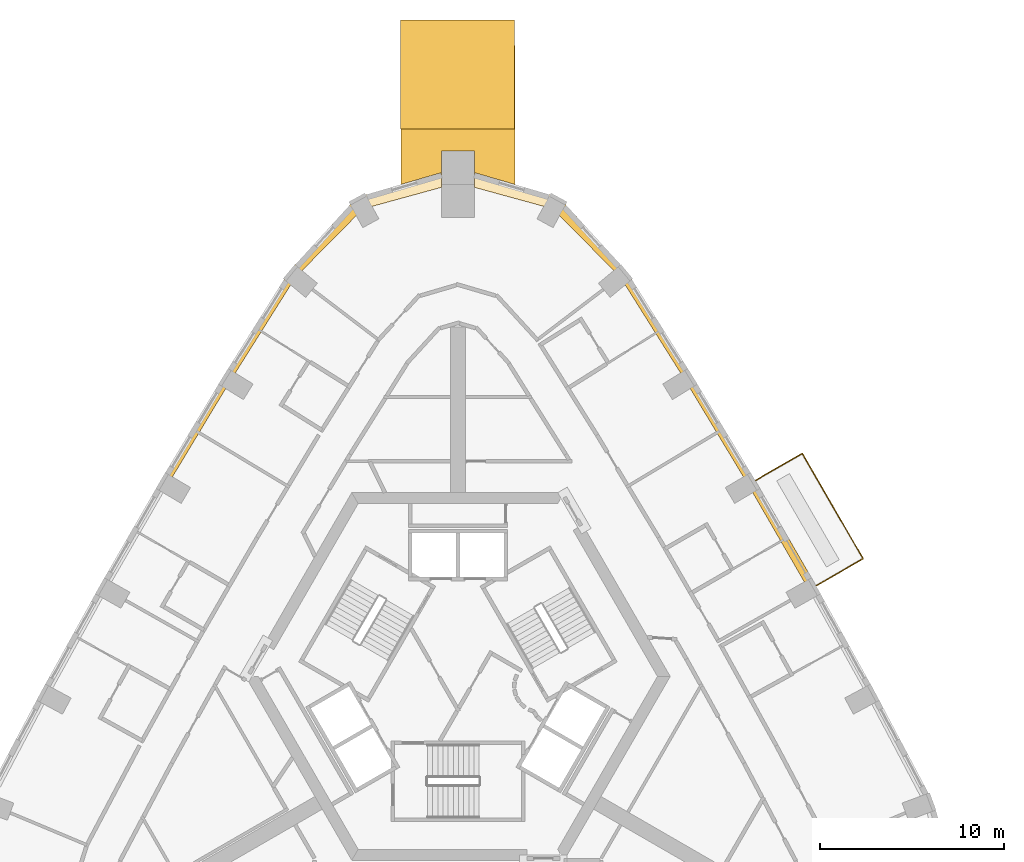
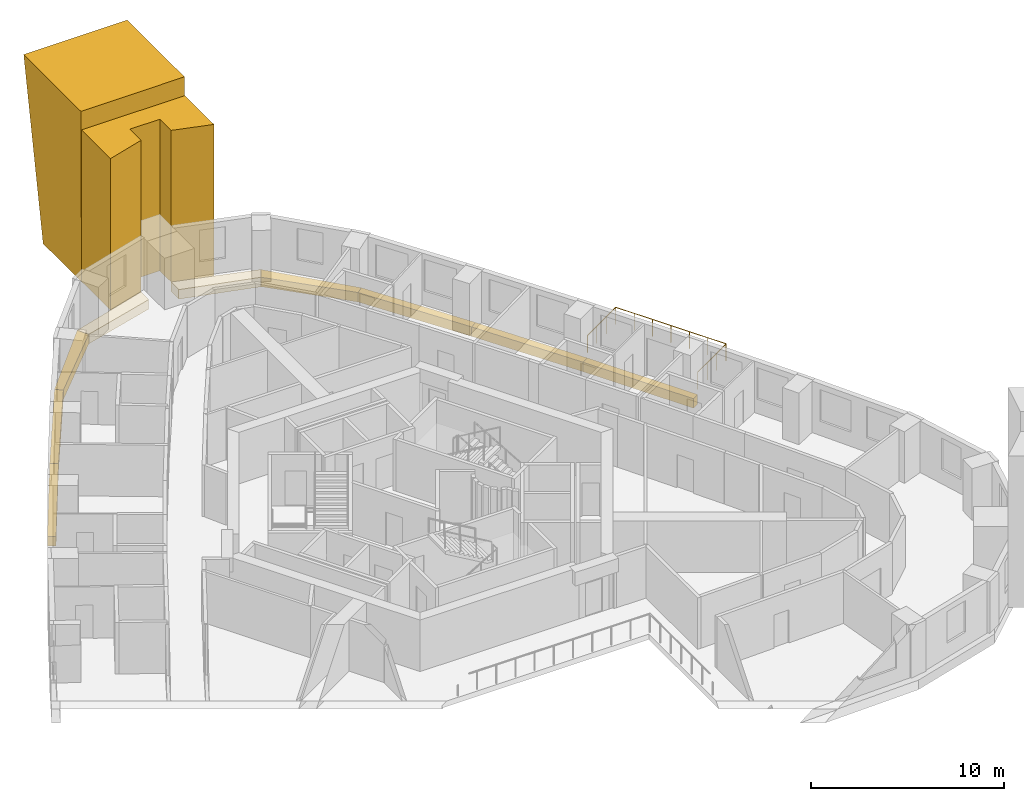
# One storey, part 13 of 13: 11 coverings, 1 railing.
"""IFC4 building model written with IfcOpenShell, lengths in metres."""

import ifcopenshell
import ifcopenshell.guid

model = None  # the IFC model being written
_history = None  # IfcOwnerHistory: only IFC2X3 demands one
_inside = {}  # id of a spatial element -> (the spatial element, [elements in it])
_under = {}  # id of a project, library or spatial element -> (it, [spatial elements below it])
_declared = {}  # id of a project -> (the project, [libraries it declares])
_typed = {}  # id of a type object -> (the type object, [elements of that type])
_made_of = {}  # id of a material, layer set ... -> (it, [elements and type objects made of it])


def new_model(schema):
    """Start an empty IFC model of exactly this schema.

    Asked for "IFC4X3", IfcOpenShell would pick the latest addendum, in which some entities
    have other attributes; the version numbers below select the first issue.
    IFC2X3 requires an IfcOwnerHistory on every rooted entity: one is made here for all.
    """
    global model, _history
    if schema == "IFC4X3":
        model = ifcopenshell.file(schema_version=(4, 3, 0, 0))
    else:
        model = ifcopenshell.file(schema=schema)
    _inside.clear()
    _under.clear()
    _declared.clear()
    _typed.clear()
    _made_of.clear()
    _history = None
    if model.schema == "IFC2X3":
        org = make("IfcOrganization", Name="unknown")
        user = make(
            "IfcPersonAndOrganization",
            ThePerson=make("IfcPerson", FamilyName="unknown"),
            TheOrganization=org,
        )
        app = make(
            "IfcApplication",
            ApplicationDeveloper=org,
            Version="unknown",
            ApplicationFullName="unknown",
            ApplicationIdentifier="unknown",
        )
        _history = make(
            "IfcOwnerHistory",
            OwningUser=user,
            OwningApplication=app,
            ChangeAction="ADDED",
            CreationDate=0,
        )
    return model


def make(cls, **values):
    """One entity of the class cls with the attributes given. An attribute that is None is left unset."""
    return model.create_entity(
        cls, **{name: value for name, value in values.items() if value is not None}
    )


def rooted(cls, **values):
    """An entity with a GlobalId (a new one), such as an element, a storey or a relation."""
    return make(cls, GlobalId=ifcopenshell.guid.new(), OwnerHistory=_history, **values)


def si_unit(unit_type, name, prefix=None):
    """IfcSIUnit, for example si_unit("LENGTHUNIT", "METRE", prefix="MILLI")."""
    return make("IfcSIUnit", UnitType=unit_type, Prefix=prefix, Name=name)


def assignment(units):
    """IfcUnitAssignment: the units of a project."""
    return None if units is None else make("IfcUnitAssignment", Units=units)


def point(xyz):
    """IfcCartesianPoint."""
    return None if xyz is None else make("IfcCartesianPoint", Coordinates=xyz)


def direction(xyz):
    """IfcDirection."""
    return None if xyz is None else make("IfcDirection", DirectionRatios=xyz)


def frame(location, z_axis=None, x_axis=None):
    """IfcAxis2Placement3D, a coordinate frame: its origin and axes. An axis left out is left unset."""
    return make(
        "IfcAxis2Placement3D",
        Location=point(location),
        Axis=direction(z_axis),
        RefDirection=direction(x_axis),
    )


def frame_2d(location, x_axis=None):
    """IfcAxis2Placement2D, a coordinate frame in the plane: its origin and x axis."""
    return make(
        "IfcAxis2Placement2D", Location=point(location), RefDirection=direction(x_axis)
    )


def origin():
    """The frame at (0, 0, 0) with its axes left unset."""
    return frame((0.0, 0.0, 0.0))


def origin_2d():
    """The frame at (0, 0) in the plane with its x axis left unset."""
    return frame_2d((0.0, 0.0))


def place(relative_to, where):
    """IfcLocalPlacement: puts the frame where relative to a parent placement (None: the world)."""
    return make(
        "IfcLocalPlacement", PlacementRelTo=relative_to, RelativePlacement=where
    )


def context(
    kind, dimensions, precision=None, world=None, true_north=None, identifier=None
):
    """IfcGeometricRepresentationContext, for example the 3D "Model" context."""
    return make(
        "IfcGeometricRepresentationContext",
        ContextIdentifier=identifier,
        ContextType=kind,
        CoordinateSpaceDimension=dimensions,
        Precision=precision,
        WorldCoordinateSystem=world,
        TrueNorth=true_north,
    )


def subcontext(parent, identifier, kind, view, scale=None):
    """IfcGeometricRepresentationSubContext, for example "Body" below "Model"."""
    return make(
        "IfcGeometricRepresentationSubContext",
        ContextIdentifier=identifier,
        ContextType=kind,
        ParentContext=parent,
        TargetScale=scale,
        TargetView=view,
    )


def project(units=None, contexts=None):
    """IfcProject with its units and contexts."""
    return rooted(
        "IfcProject",
        Name="project",
        RepresentationContexts=contexts,
        UnitsInContext=assignment(units),
    )


def spatial(cls, under=None, at=None, **own):
    """A site, building, storey or space (cls), placed at a placement, below another one or the project."""
    s = rooted(cls, ObjectPlacement=at, **own)
    if under is not None:
        _under.setdefault(under.id(), (under, []))[1].append(s)
    return s


def polyline(points):
    """IfcPolyline through the points."""
    return make("IfcPolyline", Points=[point(p) for p in points])


def profile(cls, at=None, kind="AREA", **sizes):
    """A parametric profile (cls). Its sizes go by their IFC names, for example OverallWidth=200.0."""
    return make(cls, ProfileType=kind, Position=at, **sizes)


def circle(**sizes):
    """IfcCircleProfileDef."""
    return profile("IfcCircleProfileDef", **sizes)


def outline(outer, holes=None, kind="AREA"):
    """IfcArbitraryClosedProfileDef: a profile drawn as a closed curve; with holes, ...WithVoids."""
    if holes is None:
        return make("IfcArbitraryClosedProfileDef", ProfileType=kind, OuterCurve=outer)
    return make(
        "IfcArbitraryProfileDefWithVoids",
        ProfileType=kind,
        OuterCurve=outer,
        InnerCurves=holes,
    )


def extrude(swept, where, along, depth):
    """IfcExtrudedAreaSolid: the profile swept, set in the frame where, extruded along a direction by depth."""
    return make(
        "IfcExtrudedAreaSolid",
        SweptArea=swept,
        Position=where,
        ExtrudedDirection=direction(along),
        Depth=depth,
    )


def shape(context_of_items, identifier, shape_type, items):
    """IfcShapeRepresentation: the items that make up one representation, for example the "Body"."""
    return make(
        "IfcShapeRepresentation",
        ContextOfItems=context_of_items,
        RepresentationIdentifier=identifier,
        RepresentationType=shape_type,
        Items=items,
    )


def material(Name=None, Category=None):
    """IfcMaterial."""
    return make("IfcMaterial", Name=Name, Category=Category)


def made_of(thing, what):
    """Note that an element or type object is made of a material, layer set ...; save() writes the relation."""
    if what is not None:
        _made_of.setdefault(what.id(), (what, []))[1].append(thing)
    return thing


def type_object(cls, material=None, **own):
    """A type object (cls), such as IfcWallType, which elements share."""
    return made_of(rooted(cls, **own), material)


def element(
    cls,
    number,
    at=None,
    inside=None,
    cuts=None,
    type_object=None,
    material=None,
    context=None,
    identifier="Body",
    shape_type=None,
    held_by="IfcProductDefinitionShape",
    body=None,
    shapes=None,
    **own,
):
    """One element of the class cls, such as IfcWall. Its Tag is "e" and its number.

    at: its placement. inside: the storey or other place that contains it. cuts: it is an
    opening in that element (IfcRelVoidsElement). A single representation is given by context,
    identifier, shape_type and body (its items); several are given by shapes. held_by: the class
    of the entity that holds the representations. save() writes the other relations.
    """
    e = rooted(cls, Tag="e%d" % number, ObjectPlacement=at, **own)
    if body is not None:
        shapes = [shape(context, identifier, shape_type, body)]
    if shapes is not None:
        e.Representation = make(held_by, Representations=shapes)
    if inside is not None:
        _inside.setdefault(inside.id(), (inside, []))[1].append(e)
    if cuts is not None:
        rooted(
            "IfcRelVoidsElement", RelatingBuildingElement=cuts, RelatedOpeningElement=e
        )
    if type_object is not None:
        _typed.setdefault(type_object.id(), (type_object, []))[1].append(e)
    return made_of(e, material)


def aggregate(whole, parts):
    """IfcRelAggregates: a whole, such as a stair, and the parts it consists of."""
    return rooted("IfcRelAggregates", RelatingObject=whole, RelatedObjects=parts)


def save(model, path):
    """Write the relations noted so far, then the file.

    IfcRelAggregates (storeys below a building ...), IfcRelContainedInSpatialStructure (elements
    in a storey), IfcRelDefinesByType, IfcRelAssociatesMaterial and IfcRelDeclares: one each for
    every whole, place, type object, material and project.
    """
    for whole, parts in _under.values():
        aggregate(whole, parts)
    for where, things in _inside.values():
        rooted(
            "IfcRelContainedInSpatialStructure",
            RelatedElements=things,
            RelatingStructure=where,
        )
    for kind, things in _typed.values():
        rooted("IfcRelDefinesByType", RelatedObjects=things, RelatingType=kind)
    for what, things in _made_of.values():
        rooted("IfcRelAssociatesMaterial", RelatedObjects=things, RelatingMaterial=what)
    for by, libraries in _declared.values():
        rooted("IfcRelDeclares", RelatingContext=by, RelatedDefinitions=libraries)
    model.write(path)


model = new_model("IFC4")

# Units and contexts
model_context = context("Model", 3, precision=1e-05, world=origin(), true_north=direction((0.0, 1.0)))
body_context = subcontext(model_context, "Body", "Model", "MODEL_VIEW")
ifc_project = project(units=[si_unit("LENGTHUNIT", "METRE"), si_unit("AREAUNIT", "SQUARE_METRE"), si_unit("VOLUMEUNIT", "CUBIC_METRE"), si_unit("PLANEANGLEUNIT", "RADIAN"), si_unit("MASSUNIT", "GRAM", prefix="KILO")], contexts=[model_context])

# Site, building, storey
site_placement = place(None, origin())
site = spatial("IfcSite", under=ifc_project, at=site_placement, CompositionType="ELEMENT")
building_placement = place(site_placement, origin())
building = spatial("IfcBuilding", under=site, at=building_placement, Name="Entoto Arch Interchange Tower", CompositionType="ELEMENT")
storey_placement = place(building_placement, frame((0.0, 0.0, 263.0)))
storey = spatial("IfcBuildingStorey", under=building, at=storey_placement, Name="L60", CompositionType="ELEMENT", Elevation=263.0)

# Railing
ifc_material_1 = material(Name="Stainless steel 1.4301", Category="steel")
railing_type = type_object("IfcRailingType", Name="GUARD 1100 STEEL AND GLASS", PredefinedType="GUARDRAIL", material=ifc_material_1)
railing_placement = place(storey_placement, frame((19.47998046875, 7.428955078125, 0.0)))
element("IfcRailing", 1, at=railing_placement, inside=storey, type_object=railing_type, Name="Balcony guard NE-03 L60", PredefinedType="GUARDRAIL", context=body_context, shape_type="SweptSolid", body=[
    extrude(circle(Radius=0.02392578125, at=origin_2d()), frame((0.0, 0.0, 1.076171875), z_axis=(0.866024349092, 0.500001826776, 0.0), x_axis=(-0.500001826776, 0.866024349092, 0.0)), (0.0, 0.0, 1.0), 2.9501953125),
    extrude(circle(Radius=0.02392578125, at=origin_2d()), frame((2.554931640625, 1.47509765625, 1.076171875), z_axis=(-0.500011192237, 0.866018941847, 0.0), x_axis=(-0.866018941847, -0.500011192237, 0.0)), (0.0, 0.0, 1.0), 6.611572265625),
    extrude(circle(Radius=0.02392578125, at=origin_2d()), frame((-0.7509765625, 7.200927734375, 1.076171875), z_axis=(-0.866060182126, -0.499939757307, 0.0), x_axis=(0.499939757307, -0.866060182126, 0.0)), (0.0, 0.0, 1.0), 2.949951171875),
    extrude(circle(Radius=0.02099609375, at=origin_2d()), origin(), (0.0, 0.0, 1.0), 1.052001953125),
    extrude(circle(Radius=0.02099609375, at=origin_2d()), frame((0.8515625, 0.49169921875, 0.0)), (0.0, 0.0, 1.0), 1.052001953125),
    extrude(circle(Radius=0.02099609375, at=origin_2d()), frame((1.703369140625, 0.9833984375, 0.0)), (0.0, 0.0, 1.0), 1.052001953125),
    extrude(circle(Radius=0.02099609375, at=origin_2d()), frame((2.554931640625, 1.47509765625, 0.0)), (0.0, 0.0, 1.0), 1.052001953125),
    extrude(circle(Radius=0.02099609375, at=origin_2d()), frame((2.00390625, 2.429443359375, 0.0)), (0.0, 0.0, 1.0), 1.052001953125),
    extrude(circle(Radius=0.02099609375, at=origin_2d()), frame((1.452880859375, 3.3837890625, 0.0)), (0.0, 0.0, 1.0), 1.052001953125),
    extrude(circle(Radius=0.02099609375, at=origin_2d()), frame((0.90185546875, 4.337890625, 0.0)), (0.0, 0.0, 1.0), 1.052001953125),
    extrude(circle(Radius=0.02099609375, at=origin_2d()), frame((0.35107421875, 5.292236328125, 0.0)), (0.0, 0.0, 1.0), 1.052001953125),
    extrude(circle(Radius=0.02099609375, at=origin_2d()), frame((-0.199951171875, 6.24658203125, 0.0)), (0.0, 0.0, 1.0), 1.052001953125),
    extrude(circle(Radius=0.02099609375, at=origin_2d()), frame((-0.7509765625, 7.200927734375, 0.0)), (0.0, 0.0, 1.0), 1.052001953125),
    extrude(circle(Radius=0.02099609375, at=origin_2d()), frame((-1.6025390625, 6.709228515625, 0.0)), (0.0, 0.0, 1.0), 1.052001953125),
    extrude(circle(Radius=0.02099609375, at=origin_2d()), frame((-2.454345703125, 6.2177734375, 0.0)), (0.0, 0.0, 1.0), 1.052001953125),
    extrude(circle(Radius=0.02099609375, at=origin_2d()), frame((-3.305908203125, 5.72607421875, 0.0)), (0.0, 0.0, 1.0), 1.052001953125),
])

# Coverings
ifc_material_2 = material(Name="Board-marked precast concrete C50/60", Category="concrete")
covering_type_1 = type_object("IfcCoveringType", Name="PRECAST FRAME COURSE", PredefinedType="CLADDING", material=ifc_material_2)
covering_1_placement = place(storey_placement, frame((0.0, 0.0, -0.340087890625)))
element("IfcCovering", 2, at=covering_1_placement, inside=storey, type_object=covering_type_1, Name="Corner pilaster N L60-L62", PredefinedType="CLADDING", context=body_context, shape_type="SweptSolid", body=[
    extrude(outline(polyline([(-3.10009765625, 32.26708984375), (3.10009765625, 32.26708984375), (3.10009765625, 29.258056640625), (0.89990234375, 29.903076171875), (0.89990234375, 31.06689453125), (-0.89990234375, 31.06689453125), (-0.89990234375, 29.903076171875), (-3.10009765625, 29.258056640625), (-3.10009765625, 32.26708984375)])), origin(), (0.0, 0.0, 1.0), 9.60009765625),
])
covering_2_placement = place(storey_placement, frame((3.10009765625, 32.26708984375, -0.340087890625), z_axis=(0.999995615315, 0.0, 0.002961308986), x_axis=(0.0, 1.0, 0.0)))
element("IfcCovering", 3, at=covering_2_placement, inside=storey, type_object=covering_type_1, Name="Corner rib N L60-L62", PredefinedType="CLADDING", context=body_context, shape_type="SweptSolid", body=[
    extrude(outline(polyline([(0.0, 0.0), (3.974853515625, 0.0), (5.93798828125, 10.800096183145461), (0.0, 10.800096183145461), (0.0, 0.0)])), origin(), (0.0, 0.0, -1.0), 6.199951171875),
])
covering_type_2 = type_object("IfcCoveringType", Name="PRECAST LEDGE COURSE", PredefinedType="CLADDING", material=ifc_material_2)
covering_3_placement = place(storey_placement, frame((0.0, 0.0, -0.93994140625)))
element("IfcCovering", 4, at=covering_3_placement, inside=storey, type_object=covering_type_2, Name="Precast course NE-03 L60", PredefinedType="CLADDING", context=body_context, shape_type="SweptSolid", body=[
    extrude(outline(polyline([(15.785888671875, 12.926025390625), (16.174072265625, 13.155029296875), (19.47998046875, 7.428955078125), (19.087890625, 7.2080078125), (15.785888671875, 12.926025390625)])), origin(), (0.0, 0.0, 1.0), 0.599853515625),
])
covering_4_placement = place(storey_placement, frame((0.0, 0.0, -0.93994140625)))
element("IfcCovering", 5, at=covering_4_placement, inside=storey, type_object=covering_type_2, Name="Precast course NE-04 L60", PredefinedType="CLADDING", context=body_context, shape_type="SweptSolid", body=[
    extrude(outline(polyline([(12.3759765625, 18.58203125), (12.764892578125, 18.822021484375), (16.174072265625, 13.155029296875), (15.785888671875, 12.926025390625), (12.3759765625, 18.58203125)])), origin(), (0.0, 0.0, 1.0), 0.599853515625),
])
covering_5_placement = place(storey_placement, frame((0.0, 0.0, -0.93994140625)))
element("IfcCovering", 6, at=covering_5_placement, inside=storey, type_object=covering_type_2, Name="Precast course NE-05 L60", PredefinedType="CLADDING", context=body_context, shape_type="SweptSolid", body=[
    extrude(outline(polyline([(8.8291015625, 24.219970703125), (9.19189453125, 24.52099609375), (12.764892578125, 18.822021484375), (12.3759765625, 18.58203125), (8.8291015625, 24.219970703125)])), origin(), (0.0, 0.0, 1.0), 0.599853515625),
])
covering_6_placement = place(storey_placement, frame((0.0, 0.0, -0.93994140625)))
element("IfcCovering", 7, at=covering_6_placement, inside=storey, type_object=covering_type_2, Name="Precast course N-01 L60", PredefinedType="CLADDING", context=body_context, shape_type="SweptSolid", body=[
    extrude(outline(polyline([(5.1640625, 27.93310546875), (5.501953125, 28.553955078125), (9.19189453125, 24.52099609375), (8.8291015625, 24.219970703125), (5.1640625, 27.93310546875)])), origin(), (0.0, 0.0, 1.0), 0.599853515625),
])
covering_7_placement = place(storey_placement, frame((0.0, 0.0, -0.93994140625)))
element("IfcCovering", 8, at=covering_7_placement, inside=storey, type_object=covering_type_2, Name="Precast course N-02 L60", PredefinedType="CLADDING", context=body_context, shape_type="SweptSolid", body=[
    extrude(outline(polyline([(0.89990234375, 29.10107421875), (0.89990234375, 29.903076171875), (5.501953125, 28.553955078125), (5.1640625, 27.93310546875), (0.89990234375, 29.10107421875)])), origin(), (0.0, 0.0, 1.0), 0.599853515625),
])
covering_8_placement = place(storey_placement, frame((0.0, 0.0, -0.93994140625)))
element("IfcCovering", 9, at=covering_8_placement, inside=storey, type_object=covering_type_2, Name="Precast course N-03 L60", PredefinedType="CLADDING", context=body_context, shape_type="SweptSolid", body=[
    extrude(outline(polyline([(-5.1640625, 27.93310546875), (-5.501953125, 28.553955078125), (-0.89990234375, 29.903076171875), (-0.89990234375, 29.10107421875), (-5.1640625, 27.93310546875)])), origin(), (0.0, 0.0, 1.0), 0.599853515625),
])
covering_9_placement = place(storey_placement, frame((0.0, 0.0, -0.93994140625)))
element("IfcCovering", 10, at=covering_9_placement, inside=storey, type_object=covering_type_2, Name="Precast course N-04 L60", PredefinedType="CLADDING", context=body_context, shape_type="SweptSolid", body=[
    extrude(outline(polyline([(-8.8291015625, 24.219970703125), (-9.19189453125, 24.52099609375), (-5.501953125, 28.553955078125), (-5.1640625, 27.93310546875), (-8.8291015625, 24.219970703125)])), origin(), (0.0, 0.0, 1.0), 0.599853515625),
])
covering_10_placement = place(storey_placement, frame((0.0, 0.0, -0.93994140625)))
element("IfcCovering", 11, at=covering_10_placement, inside=storey, type_object=covering_type_2, Name="Precast course NW-01 L60", PredefinedType="CLADDING", context=body_context, shape_type="SweptSolid", body=[
    extrude(outline(polyline([(-12.3759765625, 18.58203125), (-12.764892578125, 18.822021484375), (-9.19189453125, 24.52099609375), (-8.8291015625, 24.219970703125), (-12.3759765625, 18.58203125)])), origin(), (0.0, 0.0, 1.0), 0.599853515625),
])
covering_11_placement = place(storey_placement, frame((0.0, 0.0, -0.93994140625)))
element("IfcCovering", 12, at=covering_11_placement, inside=storey, type_object=covering_type_2, Name="Precast course NW-02 L60", PredefinedType="CLADDING", context=body_context, shape_type="SweptSolid", body=[
    extrude(outline(polyline([(-15.785888671875, 12.926025390625), (-16.174072265625, 13.155029296875), (-12.764892578125, 18.822021484375), (-12.3759765625, 18.58203125), (-15.785888671875, 12.926025390625)])), origin(), (0.0, 0.0, 1.0), 0.599853515625),
])

save(model, "model.ifc")
